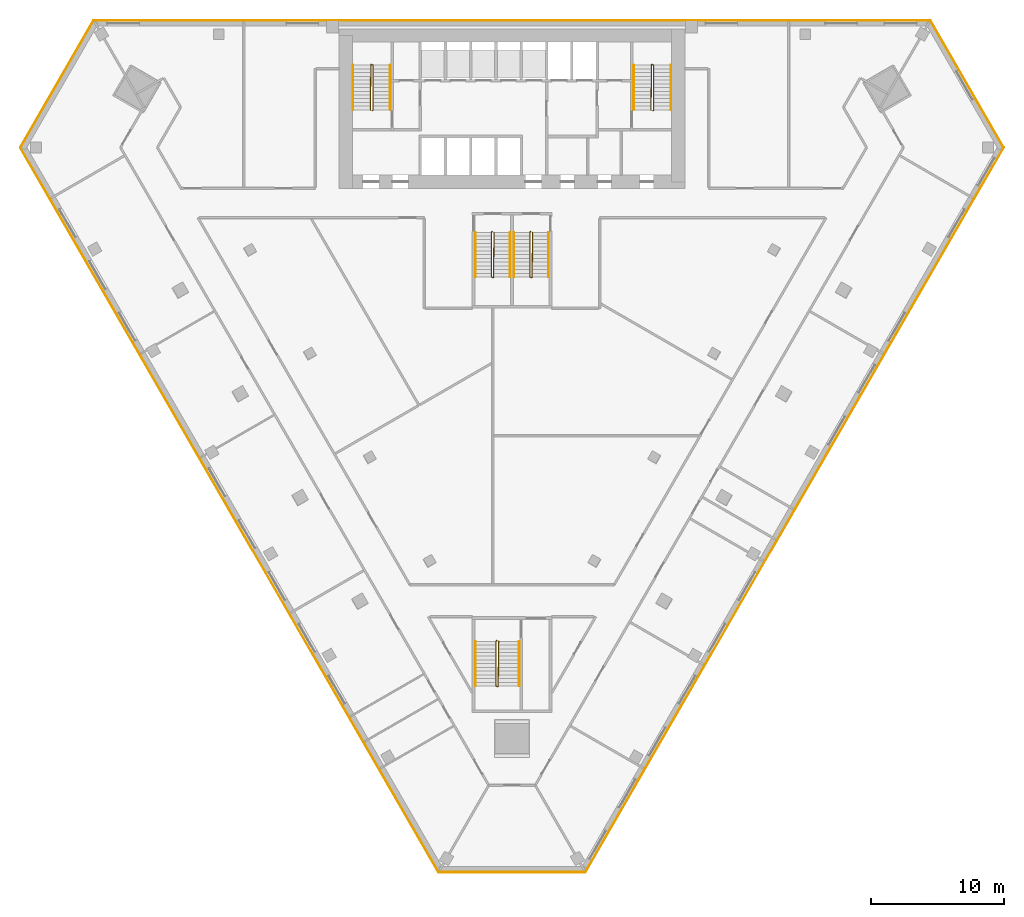
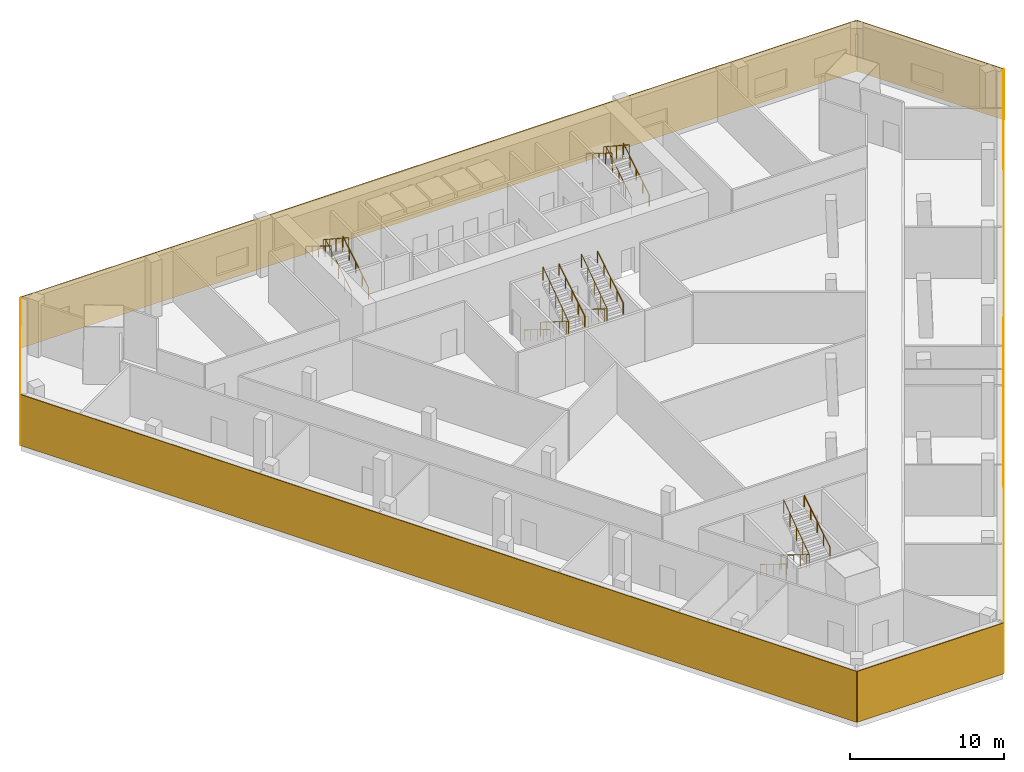
# One storey, part 8 of 9: 15 railings, 6 coverings.
"""IFC4 building model written with IfcOpenShell, lengths in metres."""

from ifc_helpers import new_model, si_unit, direction, frame, frame_2d, origin, origin_2d, place, context, subcontext, project, spatial, rectangle, circle, extrude, material, layer, layer_set, type_object, element, save


model = new_model("IFC4")

# Units and contexts
model_context = context("Model", 3, precision=1e-05, world=origin(), true_north=direction((0.0, 1.0)))
body_context = subcontext(model_context, "Body", "Model", "MODEL_VIEW")
ifc_project = project(units=[si_unit("LENGTHUNIT", "METRE"), si_unit("AREAUNIT", "SQUARE_METRE"), si_unit("VOLUMEUNIT", "CUBIC_METRE"), si_unit("PLANEANGLEUNIT", "RADIAN"), si_unit("MASSUNIT", "GRAM", prefix="KILO")], contexts=[model_context])

# Site, building, storey
site_placement = place(None, origin())
site = spatial("IfcSite", under=ifc_project, at=site_placement, CompositionType="ELEMENT")
building_placement = place(site_placement, origin())
building = spatial("IfcBuilding", under=site, at=building_placement, Name="Altiplano Prism Tower", CompositionType="ELEMENT")
storey_placement = place(building_placement, frame((0.0, 0.0, 9.0)))
storey = spatial("IfcBuildingStorey", under=building, at=storey_placement, Name="L01", CompositionType="ELEMENT", Elevation=9.0)

# Railings
ifc_material_1 = material(Name="Steel S355", Category="steel")
railing_type_1 = type_object("IfcRailingType", Name="Stair guard 1100", PredefinedType="GUARDRAIL", material=ifc_material_1)
railing_1_placement = place(storey_placement, frame((74.5, 98.25, 0.0)))
element("IfcRailing", 1, at=railing_1_placement, inside=storey, type_object=railing_type_1, Name="L01 ST1 stair guard 1", PredefinedType="GUARDRAIL", context=body_context, shape_type="SweptSolid", body=[
    extrude(circle(Radius=0.02392578125, at=origin_2d()), frame((0.0, 0.0, 1.076171875), z_axis=(0.267629722418, 0.267629722418, 0.925607186314), x_axis=(-0.707106781187, 0.707106781187, 0.0)), (0.0, 0.0, 1.0), 0.18701171875),
    extrude(circle(Radius=0.02392578125, at=origin_2d()), frame((0.050048828125, 0.050048828125, 1.2490234375), z_axis=(0.0, 0.850606129759, 0.525803396734), x_axis=(-1.0, 0.0, 0.0)), (0.0, 0.0, 1.0), 3.949951171875),
    extrude(circle(Radius=0.02392578125, at=origin_2d()), frame((0.050048828125, 3.409912109375, 3.326171875), z_axis=(-0.948683298051, 0.316227766017, 0.0), x_axis=(-0.316227766017, -0.948683298051, 0.0)), (0.0, 0.0, 1.0), 0.158203125),
    extrude(circle(Radius=0.02392578125, at=origin_2d()), frame((-0.10009765625, 3.4599609375, 3.326171875), z_axis=(-0.0121901703, -0.834608375372, 0.55070887001), x_axis=(0.999893351539, -0.01460429897, 0.0)), (0.0, 0.0, 1.0), 4.085693359375),
    extrude(circle(Radius=0.02099609375, at=origin_2d()), origin(), (0.0, 0.0, 1.0), 1.052001953125),
    extrude(circle(Radius=0.02099609375, at=origin_2d()), frame((0.050048828125, 0.050048828125, 0.173095703125)), (0.0, 0.0, 1.0), 1.052001953125),
    extrude(circle(Radius=0.02099609375, at=origin_2d()), frame((0.050048828125, 0.89013671875, 0.6923828125)), (0.0, 0.0, 1.0), 1.052001953125),
    extrude(circle(Radius=0.02099609375, at=origin_2d()), frame((0.050048828125, 1.72998046875, 1.21142578125)), (0.0, 0.0, 1.0), 1.052001953125),
    extrude(circle(Radius=0.02099609375, at=origin_2d()), frame((0.050048828125, 2.56982421875, 1.730712890625)), (0.0, 0.0, 1.0), 1.052001953125),
    extrude(circle(Radius=0.02099609375, at=origin_2d()), frame((0.050048828125, 3.409912109375, 2.25)), (0.0, 0.0, 1.0), 1.052001953125),
    extrude(circle(Radius=0.02099609375, at=origin_2d()), frame((-0.10009765625, 3.4599609375, 2.25)), (0.0, 0.0, 1.0), 1.052001953125),
    extrude(circle(Radius=0.02099609375, at=origin_2d()), frame((-0.112548828125, 2.607421875, 2.8125)), (0.0, 0.0, 1.0), 1.052001953125),
    extrude(circle(Radius=0.02099609375, at=origin_2d()), frame((-0.125, 1.7548828125, 3.375)), (0.0, 0.0, 1.0), 1.052001953125),
    extrude(circle(Radius=0.02099609375, at=origin_2d()), frame((-0.137451171875, 0.902587890625, 3.9375)), (0.0, 0.0, 1.0), 1.052001953125),
    extrude(circle(Radius=0.02099609375, at=origin_2d()), frame((-0.14990234375, 0.050048828125, 4.5)), (0.0, 0.0, 1.0), 1.052001953125),
])
railing_2_placement = place(storey_placement, frame((95.60009765625, 98.25, 0.0)))
element("IfcRailing", 2, at=railing_2_placement, inside=storey, type_object=railing_type_1, Name="L01 ST2 stair guard 1", PredefinedType="GUARDRAIL", context=body_context, shape_type="SweptSolid", body=[
    extrude(circle(Radius=0.02392578125, at=origin_2d()), frame((0.0, 0.0, 1.076171875), z_axis=(0.266417085129, 0.267723051232, 0.925929967433), x_axis=(-0.708833529934, 0.705375805398, 0.0)), (0.0, 0.0, 1.0), 0.18701171875),
    extrude(circle(Radius=0.02392578125, at=origin_2d()), frame((0.0498046875, 0.050048828125, 1.2490234375), z_axis=(0.0, 0.850606129759, 0.525803396734), x_axis=(-1.0, 0.0, 0.0)), (0.0, 0.0, 1.0), 3.949951171875),
    extrude(circle(Radius=0.02392578125, at=origin_2d()), frame((0.0498046875, 3.409912109375, 3.326171875), z_axis=(-0.948528701346, 0.316691178788, 0.0), x_axis=(-0.316691178788, -0.948528701346, 0.0)), (0.0, 0.0, 1.0), 0.157958984375),
    extrude(circle(Radius=0.02392578125, at=origin_2d()), frame((-0.10009765625, 3.4599609375, 3.326171875), z_axis=(-0.012249917091, -0.834607765926, 0.550708467873), x_axis=(0.999892303572, -0.014675873289, 0.0)), (0.0, 0.0, 1.0), 4.085693359375),
    extrude(circle(Radius=0.02099609375, at=origin_2d()), origin(), (0.0, 0.0, 1.0), 1.052001953125),
    extrude(circle(Radius=0.02099609375, at=origin_2d()), frame((0.0498046875, 0.050048828125, 0.173095703125)), (0.0, 0.0, 1.0), 1.052001953125),
    extrude(circle(Radius=0.02099609375, at=origin_2d()), frame((0.0498046875, 0.89013671875, 0.6923828125)), (0.0, 0.0, 1.0), 1.052001953125),
    extrude(circle(Radius=0.02099609375, at=origin_2d()), frame((0.0498046875, 1.72998046875, 1.21142578125)), (0.0, 0.0, 1.0), 1.052001953125),
    extrude(circle(Radius=0.02099609375, at=origin_2d()), frame((0.0498046875, 2.56982421875, 1.730712890625)), (0.0, 0.0, 1.0), 1.052001953125),
    extrude(circle(Radius=0.02099609375, at=origin_2d()), frame((0.0498046875, 3.409912109375, 2.25)), (0.0, 0.0, 1.0), 1.052001953125),
    extrude(circle(Radius=0.02099609375, at=origin_2d()), frame((-0.10009765625, 3.4599609375, 2.25)), (0.0, 0.0, 1.0), 1.052001953125),
    extrude(circle(Radius=0.02099609375, at=origin_2d()), frame((-0.112548828125, 2.607421875, 2.8125)), (0.0, 0.0, 1.0), 1.052001953125),
    extrude(circle(Radius=0.02099609375, at=origin_2d()), frame((-0.125, 1.7548828125, 3.375)), (0.0, 0.0, 1.0), 1.052001953125),
    extrude(circle(Radius=0.02099609375, at=origin_2d()), frame((-0.1376953125, 0.902587890625, 3.9375)), (0.0, 0.0, 1.0), 1.052001953125),
    extrude(circle(Radius=0.02099609375, at=origin_2d()), frame((-0.150146484375, 0.050048828125, 4.5)), (0.0, 0.0, 1.0), 1.052001953125),
])
railing_3_placement = place(storey_placement, frame((83.5, 89.14990234375, 0.0)))
element("IfcRailing", 3, at=railing_3_placement, inside=storey, type_object=railing_type_1, Name="L01 ST3A stair guard 1", PredefinedType="GUARDRAIL", context=body_context, shape_type="SweptSolid", body=[
    extrude(circle(Radius=0.02392578125, at=origin_2d()), frame((0.0, 0.0, 1.076171875), z_axis=(-0.267723051232, -0.266417085129, 0.925929967433), x_axis=(0.705375805398, -0.708833529934, 0.0)), (0.0, 0.0, 1.0), 0.18701171875),
    extrude(circle(Radius=0.02392578125, at=origin_2d()), frame((-0.050048828125, -0.0498046875, 1.2490234375), z_axis=(0.0, -0.850623216509, 0.525775754039), x_axis=(1.0, 0.0, 0.0)), (0.0, 0.0, 1.0), 3.9501953125),
    extrude(circle(Radius=0.02392578125, at=origin_2d()), frame((-0.050048828125, -3.409912109375, 3.326171875), z_axis=(0.948683298051, -0.316227766017, 0.0), x_axis=(0.316227766017, 0.948683298051, 0.0)), (0.0, 0.0, 1.0), 0.158203125),
    extrude(circle(Radius=0.02392578125, at=origin_2d()), frame((0.10009765625, -3.4599609375, 3.326171875), z_axis=(0.012189562367, 0.83462650563, 0.550681405777), x_axis=(-0.999893366806, 0.014603253639, 0.0)), (0.0, 0.0, 1.0), 4.0859375),
    extrude(circle(Radius=0.02099609375, at=origin_2d()), origin(), (0.0, 0.0, 1.0), 1.052001953125),
    extrude(circle(Radius=0.02099609375, at=origin_2d()), frame((-0.050048828125, -0.0498046875, 0.173095703125)), (0.0, 0.0, 1.0), 1.052001953125),
    extrude(circle(Radius=0.02099609375, at=origin_2d()), frame((-0.050048828125, -0.889892578125, 0.6923828125)), (0.0, 0.0, 1.0), 1.052001953125),
    extrude(circle(Radius=0.02099609375, at=origin_2d()), frame((-0.050048828125, -1.72998046875, 1.21142578125)), (0.0, 0.0, 1.0), 1.052001953125),
    extrude(circle(Radius=0.02099609375, at=origin_2d()), frame((-0.050048828125, -2.56982421875, 1.730712890625)), (0.0, 0.0, 1.0), 1.052001953125),
    extrude(circle(Radius=0.02099609375, at=origin_2d()), frame((-0.050048828125, -3.409912109375, 2.25)), (0.0, 0.0, 1.0), 1.052001953125),
    extrude(circle(Radius=0.02099609375, at=origin_2d()), frame((0.10009765625, -3.4599609375, 2.25)), (0.0, 0.0, 1.0), 1.052001953125),
    extrude(circle(Radius=0.02099609375, at=origin_2d()), frame((0.112548828125, -2.607421875, 2.8125)), (0.0, 0.0, 1.0), 1.052001953125),
    extrude(circle(Radius=0.02099609375, at=origin_2d()), frame((0.125, -1.7548828125, 3.375)), (0.0, 0.0, 1.0), 1.052001953125),
    extrude(circle(Radius=0.02099609375, at=origin_2d()), frame((0.137451171875, -0.90234375, 3.9375)), (0.0, 0.0, 1.0), 1.052001953125),
    extrude(circle(Radius=0.02099609375, at=origin_2d()), frame((0.14990234375, -0.0498046875, 4.5)), (0.0, 0.0, 1.0), 1.052001953125),
])
railing_4_placement = place(storey_placement, frame((86.39990234375, 89.14990234375, 0.0)))
element("IfcRailing", 4, at=railing_4_placement, inside=storey, type_object=railing_type_1, Name="L01 ST3B stair guard 1", PredefinedType="GUARDRAIL", context=body_context, shape_type="SweptSolid", body=[
    extrude(circle(Radius=0.02392578125, at=origin_2d()), frame((0.0, 0.0, 1.076171875), z_axis=(-0.26651005591, -0.26651005591, 0.926253086471), x_axis=(0.707106781187, -0.707106781187, 0.0)), (0.0, 0.0, 1.0), 0.186767578125),
    extrude(circle(Radius=0.02392578125, at=origin_2d()), frame((-0.0498046875, -0.0498046875, 1.2490234375), z_axis=(0.0, -0.850623216509, 0.525775754039), x_axis=(1.0, 0.0, 0.0)), (0.0, 0.0, 1.0), 3.9501953125),
    extrude(circle(Radius=0.02392578125, at=origin_2d()), frame((-0.0498046875, -3.409912109375, 3.326171875), z_axis=(0.948528701346, -0.316691178788, 0.0), x_axis=(0.316691178788, 0.948528701346, 0.0)), (0.0, 0.0, 1.0), 0.157958984375),
    extrude(circle(Radius=0.02392578125, at=origin_2d()), frame((0.10009765625, -3.4599609375, 3.326171875), z_axis=(0.01224930618, 0.834625896233, 0.5506810037), x_axis=(-0.99989231899, 0.014674822837, 0.0)), (0.0, 0.0, 1.0), 4.0859375),
    extrude(circle(Radius=0.02099609375, at=origin_2d()), origin(), (0.0, 0.0, 1.0), 1.052001953125),
    extrude(circle(Radius=0.02099609375, at=origin_2d()), frame((-0.0498046875, -0.0498046875, 0.173095703125)), (0.0, 0.0, 1.0), 1.052001953125),
    extrude(circle(Radius=0.02099609375, at=origin_2d()), frame((-0.0498046875, -0.889892578125, 0.6923828125)), (0.0, 0.0, 1.0), 1.052001953125),
    extrude(circle(Radius=0.02099609375, at=origin_2d()), frame((-0.0498046875, -1.72998046875, 1.21142578125)), (0.0, 0.0, 1.0), 1.052001953125),
    extrude(circle(Radius=0.02099609375, at=origin_2d()), frame((-0.0498046875, -2.56982421875, 1.730712890625)), (0.0, 0.0, 1.0), 1.052001953125),
    extrude(circle(Radius=0.02099609375, at=origin_2d()), frame((-0.0498046875, -3.409912109375, 2.25)), (0.0, 0.0, 1.0), 1.052001953125),
    extrude(circle(Radius=0.02099609375, at=origin_2d()), frame((0.10009765625, -3.4599609375, 2.25)), (0.0, 0.0, 1.0), 1.052001953125),
    extrude(circle(Radius=0.02099609375, at=origin_2d()), frame((0.112548828125, -2.607421875, 2.8125)), (0.0, 0.0, 1.0), 1.052001953125),
    extrude(circle(Radius=0.02099609375, at=origin_2d()), frame((0.125, -1.7548828125, 3.375)), (0.0, 0.0, 1.0), 1.052001953125),
    extrude(circle(Radius=0.02099609375, at=origin_2d()), frame((0.1376953125, -0.90234375, 3.9375)), (0.0, 0.0, 1.0), 1.052001953125),
    extrude(circle(Radius=0.02099609375, at=origin_2d()), frame((0.150146484375, -0.0498046875, 4.5)), (0.0, 0.0, 1.0), 1.052001953125),
])
railing_5_placement = place(storey_placement, frame((83.85009765625, 58.39990234375, 0.0)))
element("IfcRailing", 5, at=railing_5_placement, inside=storey, type_object=railing_type_1, Name="L01 ST4 stair guard 1", PredefinedType="GUARDRAIL", context=body_context, shape_type="SweptSolid", body=[
    extrude(circle(Radius=0.02392578125, at=origin_2d()), frame((0.0, 0.0, 1.076171875), z_axis=(-0.267723051232, -0.266417085129, 0.925929967433), x_axis=(0.705375805398, -0.708833529934, 0.0)), (0.0, 0.0, 1.0), 0.18701171875),
    extrude(circle(Radius=0.02392578125, at=origin_2d()), frame((-0.050048828125, -0.0498046875, 1.2490234375), z_axis=(0.0, -0.850623216509, 0.525775754039), x_axis=(1.0, 0.0, 0.0)), (0.0, 0.0, 1.0), 3.9501953125),
    extrude(circle(Radius=0.02392578125, at=origin_2d()), frame((-0.050048828125, -3.409912109375, 3.326171875), z_axis=(0.948528701346, -0.316691178788, 0.0), x_axis=(0.316691178788, 0.948528701346, 0.0)), (0.0, 0.0, 1.0), 0.157958984375),
    extrude(circle(Radius=0.02392578125, at=origin_2d()), frame((0.099853515625, -3.4599609375, 3.326171875), z_axis=(0.01224930618, 0.834625896233, 0.5506810037), x_axis=(-0.99989231899, 0.014674822837, 0.0)), (0.0, 0.0, 1.0), 4.0859375),
    extrude(circle(Radius=0.02099609375, at=origin_2d()), origin(), (0.0, 0.0, 1.0), 1.052001953125),
    extrude(circle(Radius=0.02099609375, at=origin_2d()), frame((-0.050048828125, -0.0498046875, 0.173095703125)), (0.0, 0.0, 1.0), 1.052001953125),
    extrude(circle(Radius=0.02099609375, at=origin_2d()), frame((-0.050048828125, -0.889892578125, 0.6923828125)), (0.0, 0.0, 1.0), 1.052001953125),
    extrude(circle(Radius=0.02099609375, at=origin_2d()), frame((-0.050048828125, -1.72998046875, 1.21142578125)), (0.0, 0.0, 1.0), 1.052001953125),
    extrude(circle(Radius=0.02099609375, at=origin_2d()), frame((-0.050048828125, -2.56982421875, 1.730712890625)), (0.0, 0.0, 1.0), 1.052001953125),
    extrude(circle(Radius=0.02099609375, at=origin_2d()), frame((-0.050048828125, -3.409912109375, 2.25)), (0.0, 0.0, 1.0), 1.052001953125),
    extrude(circle(Radius=0.02099609375, at=origin_2d()), frame((0.099853515625, -3.4599609375, 2.25)), (0.0, 0.0, 1.0), 1.052001953125),
    extrude(circle(Radius=0.02099609375, at=origin_2d()), frame((0.1123046875, -2.607421875, 2.8125)), (0.0, 0.0, 1.0), 1.052001953125),
    extrude(circle(Radius=0.02099609375, at=origin_2d()), frame((0.125, -1.7548828125, 3.375)), (0.0, 0.0, 1.0), 1.052001953125),
    extrude(circle(Radius=0.02099609375, at=origin_2d()), frame((0.137451171875, -0.90234375, 3.9375)), (0.0, 0.0, 1.0), 1.052001953125),
    extrude(circle(Radius=0.02099609375, at=origin_2d()), frame((0.14990234375, -0.0498046875, 4.5)), (0.0, 0.0, 1.0), 1.052001953125),
])
railing_type_2 = type_object("IfcRailingType", Name="Stair handrail 900", PredefinedType="HANDRAIL", material=ifc_material_1)
railing_6_placement = place(storey_placement, frame((75.85009765625, 98.300048828125, 0.173095703125)))
element("IfcRailing", 6, at=railing_6_placement, inside=storey, type_object=railing_type_2, Name="L01 ST1 stair handrail 1", PredefinedType="HANDRAIL", context=body_context, shape_type="SweptSolid", body=[
    extrude(circle(Radius=0.02392578125, at=origin_2d()), frame((0.0, 0.0, 0.8759765625), z_axis=(0.0, 0.850606129759, 0.525803396734), x_axis=(-1.0, 0.0, 0.0)), (0.0, 0.0, 1.0), 3.949951171875),
    extrude(circle(Radius=0.02099609375, at=origin_2d()), origin(), (0.0, 0.0, 1.0), 0.851806640625),
    extrude(circle(Radius=0.02099609375, at=origin_2d()), frame((0.0, 0.83984375, 0.519287109375)), (0.0, 0.0, 1.0), 0.851806640625),
    extrude(circle(Radius=0.02099609375, at=origin_2d()), frame((0.0, 1.679931640625, 1.03857421875)), (0.0, 0.0, 1.0), 0.851806640625),
    extrude(circle(Radius=0.02099609375, at=origin_2d()), frame((0.0, 2.52001953125, 1.5576171875)), (0.0, 0.0, 1.0), 0.851806640625),
    extrude(circle(Radius=0.02099609375, at=origin_2d()), frame((0.0, 3.35986328125, 2.076904296875)), (0.0, 0.0, 1.0), 0.851806640625),
])
railing_7_placement = place(storey_placement, frame((73.050048828125, 101.659912109375, 2.423095703125)))
element("IfcRailing", 7, at=railing_7_placement, inside=storey, type_object=railing_type_2, Name="L01 ST1 stair handrail 2", PredefinedType="HANDRAIL", context=body_context, shape_type="SweptSolid", body=[
    extrude(circle(Radius=0.02392578125, at=origin_2d()), frame((0.0, 0.0, 0.8759765625), z_axis=(0.0, -0.850606129759, 0.525803396734), x_axis=(1.0, 0.0, 0.0)), (0.0, 0.0, 1.0), 3.949951171875),
    extrude(circle(Radius=0.02099609375, at=origin_2d()), origin(), (0.0, 0.0, 1.0), 0.851806640625),
    extrude(circle(Radius=0.02099609375, at=origin_2d()), frame((0.0, -0.83984375, 0.519287109375)), (0.0, 0.0, 1.0), 0.851806640625),
    extrude(circle(Radius=0.02099609375, at=origin_2d()), frame((0.0, -1.679931640625, 1.03857421875)), (0.0, 0.0, 1.0), 0.851806640625),
    extrude(circle(Radius=0.02099609375, at=origin_2d()), frame((0.0, -2.52001953125, 1.5576171875)), (0.0, 0.0, 1.0), 0.851806640625),
    extrude(circle(Radius=0.02099609375, at=origin_2d()), frame((0.0, -3.35986328125, 2.076904296875)), (0.0, 0.0, 1.0), 0.851806640625),
])
railing_8_placement = place(storey_placement, frame((96.949951171875, 98.300048828125, 0.173095703125)))
element("IfcRailing", 8, at=railing_8_placement, inside=storey, type_object=railing_type_2, Name="L01 ST2 stair handrail 1", PredefinedType="HANDRAIL", context=body_context, shape_type="SweptSolid", body=[
    extrude(circle(Radius=0.02392578125, at=origin_2d()), frame((0.0, 0.0, 0.8759765625), z_axis=(0.0, 0.850606129759, 0.525803396734), x_axis=(-1.0, 0.0, 0.0)), (0.0, 0.0, 1.0), 3.949951171875),
    extrude(circle(Radius=0.02099609375, at=origin_2d()), origin(), (0.0, 0.0, 1.0), 0.851806640625),
    extrude(circle(Radius=0.02099609375, at=origin_2d()), frame((0.0, 0.83984375, 0.519287109375)), (0.0, 0.0, 1.0), 0.851806640625),
    extrude(circle(Radius=0.02099609375, at=origin_2d()), frame((0.0, 1.679931640625, 1.03857421875)), (0.0, 0.0, 1.0), 0.851806640625),
    extrude(circle(Radius=0.02099609375, at=origin_2d()), frame((0.0, 2.52001953125, 1.5576171875)), (0.0, 0.0, 1.0), 0.851806640625),
    extrude(circle(Radius=0.02099609375, at=origin_2d()), frame((0.0, 3.35986328125, 2.076904296875)), (0.0, 0.0, 1.0), 0.851806640625),
])
railing_9_placement = place(storey_placement, frame((94.14990234375, 101.659912109375, 2.423095703125)))
element("IfcRailing", 9, at=railing_9_placement, inside=storey, type_object=railing_type_2, Name="L01 ST2 stair handrail 2", PredefinedType="HANDRAIL", context=body_context, shape_type="SweptSolid", body=[
    extrude(circle(Radius=0.02392578125, at=origin_2d()), frame((0.0, 0.0, 0.8759765625), z_axis=(0.0, -0.850606129759, 0.525803396734), x_axis=(1.0, 0.0, 0.0)), (0.0, 0.0, 1.0), 3.949951171875),
    extrude(circle(Radius=0.02099609375, at=origin_2d()), origin(), (0.0, 0.0, 1.0), 0.851806640625),
    extrude(circle(Radius=0.02099609375, at=origin_2d()), frame((0.0, -0.83984375, 0.519287109375)), (0.0, 0.0, 1.0), 0.851806640625),
    extrude(circle(Radius=0.02099609375, at=origin_2d()), frame((0.0, -1.679931640625, 1.03857421875)), (0.0, 0.0, 1.0), 0.851806640625),
    extrude(circle(Radius=0.02099609375, at=origin_2d()), frame((0.0, -2.52001953125, 1.5576171875)), (0.0, 0.0, 1.0), 0.851806640625),
    extrude(circle(Radius=0.02099609375, at=origin_2d()), frame((0.0, -3.35986328125, 2.076904296875)), (0.0, 0.0, 1.0), 0.851806640625),
])
railing_10_placement = place(storey_placement, frame((82.25, 89.10009765625, 0.173095703125)))
element("IfcRailing", 10, at=railing_10_placement, inside=storey, type_object=railing_type_2, Name="L01 ST3A stair handrail 1", PredefinedType="HANDRAIL", context=body_context, shape_type="SweptSolid", body=[
    extrude(circle(Radius=0.02392578125, at=origin_2d()), frame((0.0, 0.0, 0.8759765625), z_axis=(0.0, -0.850623216509, 0.525775754039), x_axis=(1.0, 0.0, 0.0)), (0.0, 0.0, 1.0), 3.9501953125),
    extrude(circle(Radius=0.02099609375, at=origin_2d()), origin(), (0.0, 0.0, 1.0), 0.851806640625),
    extrude(circle(Radius=0.02099609375, at=origin_2d()), frame((0.0, -0.840087890625, 0.519287109375)), (0.0, 0.0, 1.0), 0.851806640625),
    extrude(circle(Radius=0.02099609375, at=origin_2d()), frame((0.0, -1.68017578125, 1.03857421875)), (0.0, 0.0, 1.0), 0.851806640625),
    extrude(circle(Radius=0.02099609375, at=origin_2d()), frame((0.0, -2.52001953125, 1.5576171875)), (0.0, 0.0, 1.0), 0.851806640625),
    extrude(circle(Radius=0.02099609375, at=origin_2d()), frame((0.0, -3.360107421875, 2.076904296875)), (0.0, 0.0, 1.0), 0.851806640625),
])
railing_11_placement = place(storey_placement, frame((84.85009765625, 85.739990234375, 2.423095703125)))
element("IfcRailing", 11, at=railing_11_placement, inside=storey, type_object=railing_type_2, Name="L01 ST3A stair handrail 2", PredefinedType="HANDRAIL", context=body_context, shape_type="SweptSolid", body=[
    extrude(circle(Radius=0.02392578125, at=origin_2d()), frame((0.0, 0.0, 0.8759765625), z_axis=(0.0, 0.850623216509, 0.525775754039), x_axis=(-1.0, 0.0, 0.0)), (0.0, 0.0, 1.0), 3.9501953125),
    extrude(circle(Radius=0.02099609375, at=origin_2d()), origin(), (0.0, 0.0, 1.0), 0.851806640625),
    extrude(circle(Radius=0.02099609375, at=origin_2d()), frame((0.0, 0.840087890625, 0.519287109375)), (0.0, 0.0, 1.0), 0.851806640625),
    extrude(circle(Radius=0.02099609375, at=origin_2d()), frame((0.0, 1.68017578125, 1.03857421875)), (0.0, 0.0, 1.0), 0.851806640625),
    extrude(circle(Radius=0.02099609375, at=origin_2d()), frame((0.0, 2.52001953125, 1.5576171875)), (0.0, 0.0, 1.0), 0.851806640625),
    extrude(circle(Radius=0.02099609375, at=origin_2d()), frame((0.0, 3.360107421875, 2.076904296875)), (0.0, 0.0, 1.0), 0.851806640625),
])
railing_12_placement = place(storey_placement, frame((85.14990234375, 89.10009765625, 0.173095703125)))
element("IfcRailing", 12, at=railing_12_placement, inside=storey, type_object=railing_type_2, Name="L01 ST3B stair handrail 1", PredefinedType="HANDRAIL", context=body_context, shape_type="SweptSolid", body=[
    extrude(circle(Radius=0.02392578125, at=origin_2d()), frame((0.0, 0.0, 0.8759765625), z_axis=(0.0, -0.850623216509, 0.525775754039), x_axis=(1.0, 0.0, 0.0)), (0.0, 0.0, 1.0), 3.9501953125),
    extrude(circle(Radius=0.02099609375, at=origin_2d()), origin(), (0.0, 0.0, 1.0), 0.851806640625),
    extrude(circle(Radius=0.02099609375, at=origin_2d()), frame((0.0, -0.840087890625, 0.519287109375)), (0.0, 0.0, 1.0), 0.851806640625),
    extrude(circle(Radius=0.02099609375, at=origin_2d()), frame((0.0, -1.68017578125, 1.03857421875)), (0.0, 0.0, 1.0), 0.851806640625),
    extrude(circle(Radius=0.02099609375, at=origin_2d()), frame((0.0, -2.52001953125, 1.5576171875)), (0.0, 0.0, 1.0), 0.851806640625),
    extrude(circle(Radius=0.02099609375, at=origin_2d()), frame((0.0, -3.360107421875, 2.076904296875)), (0.0, 0.0, 1.0), 0.851806640625),
])
railing_13_placement = place(storey_placement, frame((87.75, 85.739990234375, 2.423095703125)))
element("IfcRailing", 13, at=railing_13_placement, inside=storey, type_object=railing_type_2, Name="L01 ST3B stair handrail 2", PredefinedType="HANDRAIL", context=body_context, shape_type="SweptSolid", body=[
    extrude(circle(Radius=0.02392578125, at=origin_2d()), frame((0.0, 0.0, 0.8759765625), z_axis=(0.0, 0.850623216509, 0.525775754039), x_axis=(-1.0, 0.0, 0.0)), (0.0, 0.0, 1.0), 3.9501953125),
    extrude(circle(Radius=0.02099609375, at=origin_2d()), origin(), (0.0, 0.0, 1.0), 0.851806640625),
    extrude(circle(Radius=0.02099609375, at=origin_2d()), frame((0.0, 0.840087890625, 0.519287109375)), (0.0, 0.0, 1.0), 0.851806640625),
    extrude(circle(Radius=0.02099609375, at=origin_2d()), frame((0.0, 1.68017578125, 1.03857421875)), (0.0, 0.0, 1.0), 0.851806640625),
    extrude(circle(Radius=0.02099609375, at=origin_2d()), frame((0.0, 2.52001953125, 1.5576171875)), (0.0, 0.0, 1.0), 0.851806640625),
    extrude(circle(Radius=0.02099609375, at=origin_2d()), frame((0.0, 3.360107421875, 2.076904296875)), (0.0, 0.0, 1.0), 0.851806640625),
])
railing_14_placement = place(storey_placement, frame((82.25, 58.35009765625, 0.173095703125)))
element("IfcRailing", 14, at=railing_14_placement, inside=storey, type_object=railing_type_2, Name="L01 ST4 stair handrail 1", PredefinedType="HANDRAIL", context=body_context, shape_type="SweptSolid", body=[
    extrude(circle(Radius=0.02392578125, at=origin_2d()), frame((0.0, 0.0, 0.8759765625), z_axis=(0.0, -0.850623216509, 0.525775754039), x_axis=(1.0, 0.0, 0.0)), (0.0, 0.0, 1.0), 3.9501953125),
    extrude(circle(Radius=0.02099609375, at=origin_2d()), origin(), (0.0, 0.0, 1.0), 0.851806640625),
    extrude(circle(Radius=0.02099609375, at=origin_2d()), frame((0.0, -0.840087890625, 0.519287109375)), (0.0, 0.0, 1.0), 0.851806640625),
    extrude(circle(Radius=0.02099609375, at=origin_2d()), frame((0.0, -1.68017578125, 1.03857421875)), (0.0, 0.0, 1.0), 0.851806640625),
    extrude(circle(Radius=0.02099609375, at=origin_2d()), frame((0.0, -2.52001953125, 1.5576171875)), (0.0, 0.0, 1.0), 0.851806640625),
    extrude(circle(Radius=0.02099609375, at=origin_2d()), frame((0.0, -3.360107421875, 2.076904296875)), (0.0, 0.0, 1.0), 0.851806640625),
])
railing_15_placement = place(storey_placement, frame((85.550048828125, 54.989990234375, 2.423095703125)))
element("IfcRailing", 15, at=railing_15_placement, inside=storey, type_object=railing_type_2, Name="L01 ST4 stair handrail 2", PredefinedType="HANDRAIL", context=body_context, shape_type="SweptSolid", body=[
    extrude(circle(Radius=0.02392578125, at=origin_2d()), frame((0.0, 0.0, 0.8759765625), z_axis=(0.0, 0.850623216509, 0.525775754039), x_axis=(-1.0, 0.0, 0.0)), (0.0, 0.0, 1.0), 3.9501953125),
    extrude(circle(Radius=0.02099609375, at=origin_2d()), origin(), (0.0, 0.0, 1.0), 0.851806640625),
    extrude(circle(Radius=0.02099609375, at=origin_2d()), frame((0.0, 0.840087890625, 0.519287109375)), (0.0, 0.0, 1.0), 0.851806640625),
    extrude(circle(Radius=0.02099609375, at=origin_2d()), frame((0.0, 1.68017578125, 1.03857421875)), (0.0, 0.0, 1.0), 0.851806640625),
    extrude(circle(Radius=0.02099609375, at=origin_2d()), frame((0.0, 2.52001953125, 1.5576171875)), (0.0, 0.0, 1.0), 0.851806640625),
    extrude(circle(Radius=0.02099609375, at=origin_2d()), frame((0.0, 3.360107421875, 2.076904296875)), (0.0, 0.0, 1.0), 0.851806640625),
])

# Coverings
ifc_material_2 = material(Name="Warm limestone cast stone", Category="masonry")
ifc_layer = layer(ifc_material_2, 0.06005859375)
ifc_layer_set = layer_set([ifc_layer], Name="Warm limestone cast stone")
covering_type = type_object("IfcCoveringType", Name="Stone cladding 60", PredefinedType="CLADDING", material=ifc_layer_set)
covering_1_placement = place(storey_placement, frame((53.564697265625, 105.030029296875, 0.0), z_axis=(0.0, 0.0, 1.0), x_axis=(1.0, 0.0, 0.0)))
element("IfcCovering", 16, at=covering_1_placement, inside=storey, type_object=covering_type, Name="Stone cladding north face L01", PredefinedType="CLADDING", context=body_context, shape_type="SweptSolid", body=[
    extrude(rectangle(XDim=62.87060546875, YDim=0.06005859375, at=frame_2d((31.435302734375, 0.0))), origin(), (0.0, 0.0, 1.0), 4.050048828125),
])
covering_2_placement = place(storey_placement, frame((48.038818359375, 95.48876953125, 0.0), z_axis=(0.0, 0.0, 1.0), x_axis=(0.50000615651, 0.866021849293, 0.0)))
element("IfcCovering", 17, at=covering_2_placement, inside=storey, type_object=covering_type, Name="Stone cladding north-west chamfer L01", PredefinedType="CLADDING", context=body_context, shape_type="SweptSolid", body=[
    extrude(rectangle(XDim=10.999755859375, YDim=0.06005859375, at=frame_2d((5.5, 0.0))), origin(), (0.0, 0.0, 1.0), 4.050048828125),
])
covering_3_placement = place(storey_placement, frame((79.47412109375, 41.01123046875, 0.0), z_axis=(0.0, 0.0, 1.0), x_axis=(-0.500000218478, 0.866025277646, 0.0)))
element("IfcCovering", 18, at=covering_3_placement, inside=storey, type_object=covering_type, Name="Stone cladding south-west face L01", PredefinedType="CLADDING", context=body_context, shape_type="SweptSolid", body=[
    extrude(rectangle(XDim=62.87060546875, YDim=0.06005859375, at=frame_2d((31.435302734375, 0.0))), origin(), (0.0, 0.0, 1.0), 4.050048828125),
])
covering_4_placement = place(storey_placement, frame((90.5, 40.996337890625, 0.0), z_axis=(0.0, 0.0, 1.0), x_axis=(-1.0, 0.0, 0.0)))
element("IfcCovering", 19, at=covering_4_placement, inside=storey, type_object=covering_type, Name="Stone cladding south chamfer L01", PredefinedType="CLADDING", context=body_context, shape_type="SweptSolid", body=[
    extrude(rectangle(XDim=11.0, YDim=0.06005859375, at=frame_2d((5.5, 0.0))), origin(), (0.0, 0.0, 1.0), 4.050048828125),
])
covering_5_placement = place(storey_placement, frame((121.961181640625, 95.458740234375, 0.0), z_axis=(0.0, 0.0, 1.0), x_axis=(-0.500000218478, -0.866025277646, 0.0)))
element("IfcCovering", 20, at=covering_5_placement, inside=storey, type_object=covering_type, Name="Stone cladding south-east face L01", PredefinedType="CLADDING", context=body_context, shape_type="SweptSolid", body=[
    extrude(rectangle(XDim=62.87060546875, YDim=0.06005859375, at=frame_2d((31.435302734375, 0.0))), origin(), (0.0, 0.0, 1.0), 4.050048828125),
])
covering_6_placement = place(storey_placement, frame((116.461181640625, 105.014892578125, 0.0), z_axis=(0.0, 0.0, 1.0), x_axis=(0.50000615651, -0.866021849293, 0.0)))
element("IfcCovering", 21, at=covering_6_placement, inside=storey, type_object=covering_type, Name="Stone cladding north-east chamfer L01", PredefinedType="CLADDING", context=body_context, shape_type="SweptSolid", body=[
    extrude(rectangle(XDim=10.999755859375, YDim=0.06005859375, at=frame_2d((5.5, 0.0))), origin(), (0.0, 0.0, 1.0), 4.050048828125),
])

save(model, "model.ifc")
